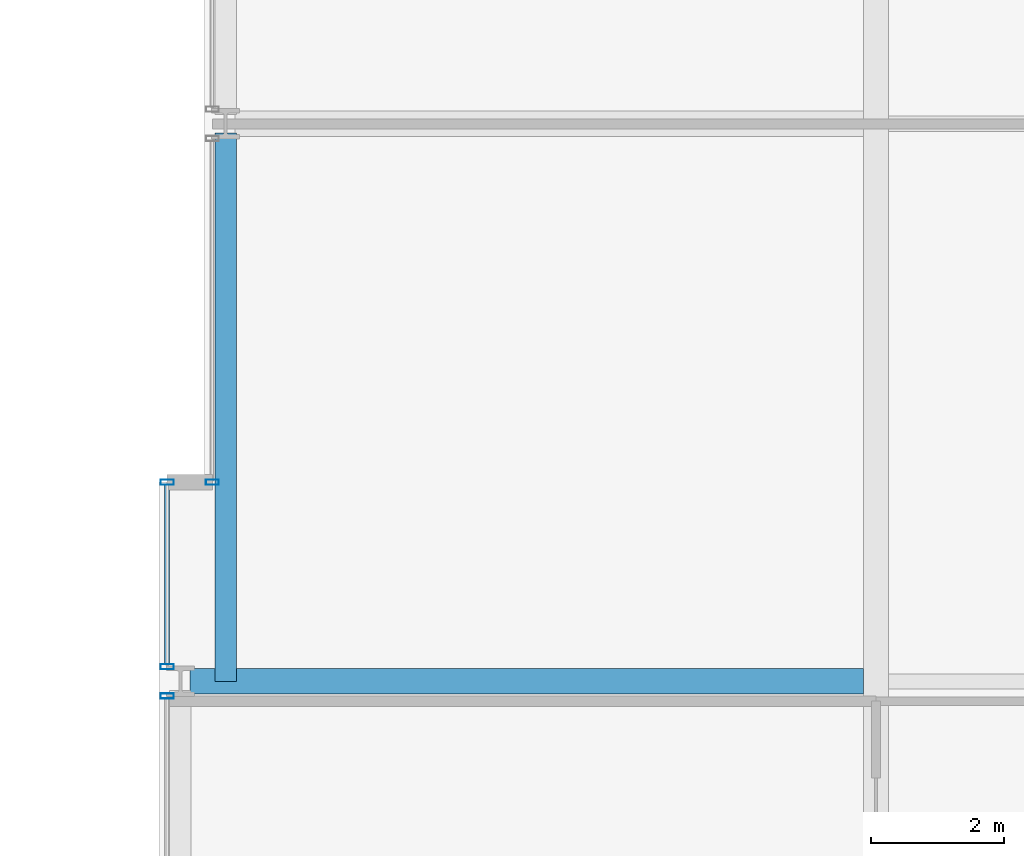
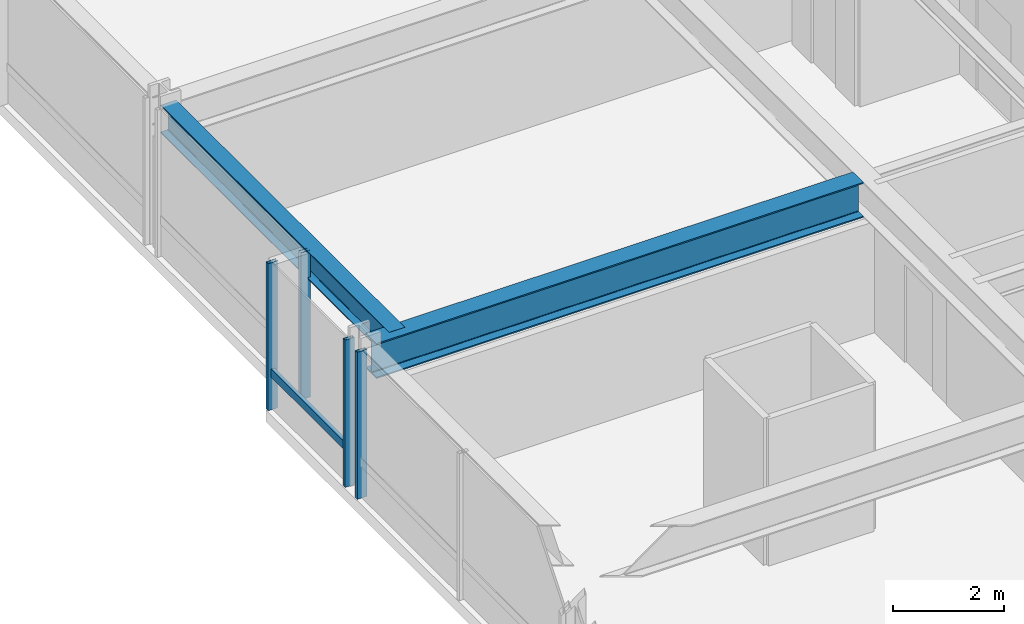
# One storey, part 7 of 33: 5 members, 2 beams, 3 elements without a shape of their own.
"""IFC4 building model written with IfcOpenShell, lengths in metres."""

from ifc_helpers import new_model, si_unit, direction, frame, origin, origin_2d, place, context, subcontext, project, spatial, hollow_rectangle, i_section, extrude, material, layer, layer_set, material_profile, profile_set, type_object, element, aggregate, save


model = new_model("IFC4")

# Units and contexts
model_context = context("Model", 3, precision=1e-05, world=origin(), true_north=direction((0.0, 1.0)))
body_context = subcontext(model_context, "Body", "Model", "MODEL_VIEW")
ifc_project = project(units=[si_unit("LENGTHUNIT", "METRE"), si_unit("AREAUNIT", "SQUARE_METRE"), si_unit("VOLUMEUNIT", "CUBIC_METRE"), si_unit("PLANEANGLEUNIT", "RADIAN"), si_unit("MASSUNIT", "GRAM", prefix="KILO")], contexts=[model_context])

# Site, building, storey
site_placement = place(None, origin())
site = spatial("IfcSite", under=ifc_project, at=site_placement, CompositionType="ELEMENT")
building_placement = place(site_placement, origin())
building = spatial("IfcBuilding", under=site, at=building_placement, Name="Drelvath Grand Hotel", CompositionType="ELEMENT")
storey_placement = place(building_placement, frame((0.0, 0.0, 105.800048828125)))
storey = spatial("IfcBuildingStorey", under=building, at=storey_placement, Name="L26", CompositionType="ELEMENT", Elevation=105.800048828125)

# Curtain wall, member
ifc_material_1 = material(Name="Champagne Bronze Anodised Aluminium Frame", Category="aluminium")
ifc_layer = layer(ifc_material_1, 0.199951171875)
ifc_layer_set = layer_set([ifc_layer], Name="Champagne Bronze Anodised Aluminium Frame")
curtain_wall_type = type_object("IfcCurtainWallType", Name="Stick Curtain Wall CW-03 Champagne Bronze Mid-Rise", PredefinedType="NOTDEFINED", material=ifc_layer_set)
curtain_wall_1_placement = place(storey_placement, origin())
curtain_wall_1 = element("IfcCurtainWall", 1, at=curtain_wall_1_placement, inside=storey, type_object=curtain_wall_type, Name="L26 CW-03 Curtain Wall CW03-L26-WS3", PredefinedType="NOTDEFINED")
ifc_material_profile_1 = material_profile(ifc_material_1, hollow_rectangle(XDim=0.074951171875, YDim=0.179931640625, WallThickness=0.0048828125, at=origin_2d()), Name="HSS180X75X5")
ifc_profile_set_1 = profile_set([ifc_material_profile_1], Name="Champagne Bronze Anodised Aluminium Frame")
member_type_1 = type_object("IfcMemberType", Name="Curtain Wall Horizontal Transom CW-03 HSS180X75X5", PredefinedType="USERDEFINED", material=ifc_profile_set_1)
member_1_placement = place(storey_placement, frame((-26.8798828125, 18.859619140625, 0.81005859375), z_axis=(0.0, 1.0, 0.0), x_axis=(-1.0, 0.0, 0.0)))
member_1 = element("IfcMember", 2, at=member_1_placement, type_object=member_type_1, Name="CW03-L26-WS3 Sill Transom", ObjectType="TRANSOM", PredefinedType="USERDEFINED", context=body_context, shape_type="SweptSolid", body=[
    extrude(hollow_rectangle(XDim=0.074951171875, YDim=0.179931640625, WallThickness=0.0048828125, at=origin_2d()), origin(), (0.0, 0.0, 1.0), 2.700439453125),
])

curtain_wall_2_placement = place(storey_placement, origin())
curtain_wall_2 = element("IfcCurtainWall", 3, at=curtain_wall_2_placement, inside=storey, type_object=curtain_wall_type, Name="L26 CW-03 Curtain Wall CW03-L26-WS2", PredefinedType="NOTDEFINED")
ifc_material_profile_2 = material_profile(ifc_material_1, hollow_rectangle(XDim=0.080078125, YDim=0.199951171875, WallThickness=0.0048828125, at=origin_2d()), Name="HSS200X80X5")
ifc_profile_set_2 = profile_set([ifc_material_profile_2], Name="Champagne Bronze Anodised Aluminium Frame")
member_type_2 = type_object("IfcMemberType", Name="Curtain Wall Vertical Mullion CW-03 HSS200X80X5", PredefinedType="MULLION", material=ifc_profile_set_2)
member_2_placement = place(storey_placement, frame((-26.8798828125, 18.38037109375, 0.0), z_axis=(0.0, 0.0, 1.0), x_axis=(0.0, 1.0, 0.0)))
member_2 = element("IfcMember", 4, at=member_2_placement, type_object=member_type_2, Name="CW03-L26-WS2 Mullion 3", PredefinedType="MULLION", context=body_context, shape_type="SweptSolid", body=[
    extrude(hollow_rectangle(XDim=0.080078125, YDim=0.199951171875, WallThickness=0.0048828125, at=origin_2d()), origin(), (0.0, 0.0, 1.0), 3.239990234375),
])
aggregate(curtain_wall_2, [member_2])

# Member
member_3_placement = place(storey_placement, frame((-26.8798828125, 18.819580078125, 0.0), z_axis=(0.0, 0.0, 1.0), x_axis=(0.0, 1.0, 0.0)))
member_3 = element("IfcMember", 5, at=member_3_placement, type_object=member_type_2, Name="CW03-L26-WS3 Mullion 1", PredefinedType="MULLION", context=body_context, shape_type="SweptSolid", body=[
    extrude(hollow_rectangle(XDim=0.080078125, YDim=0.199951171875, WallThickness=0.0048828125, at=origin_2d()), origin(), (0.0, 0.0, 1.0), 3.239990234375),
])

member_4_placement = place(storey_placement, frame((-26.8798828125, 21.60009765625, 0.0), z_axis=(0.0, 0.0, 1.0), x_axis=(0.0, 1.0, 0.0)))
member_4 = element("IfcMember", 6, at=member_4_placement, type_object=member_type_2, Name="CW03-L26-WS3 Mullion 2", PredefinedType="MULLION", context=body_context, shape_type="SweptSolid", body=[
    extrude(hollow_rectangle(XDim=0.080078125, YDim=0.199951171875, WallThickness=0.0048828125, at=origin_2d()), origin(), (0.0, 0.0, 1.0), 3.239990234375),
])

aggregate(curtain_wall_1, [member_3, member_4, member_1])

# Curtain wall, member
curtain_wall_3_placement = place(storey_placement, origin())
curtain_wall_3 = element("IfcCurtainWall", 7, at=curtain_wall_3_placement, inside=storey, type_object=curtain_wall_type, Name="L26 CW-03 Curtain Wall CW03-L26-WM1", PredefinedType="NOTDEFINED")
member_5_placement = place(storey_placement, frame((-26.199951171875, 21.60009765625, 0.0), z_axis=(0.0, 0.0, 1.0), x_axis=(0.0, 1.0, 0.0)))
member_5 = element("IfcMember", 8, at=member_5_placement, type_object=member_type_2, Name="CW03-L26-WM1 Mullion 1", PredefinedType="MULLION", context=body_context, shape_type="SweptSolid", body=[
    extrude(hollow_rectangle(XDim=0.080078125, YDim=0.199951171875, WallThickness=0.0048828125, at=origin_2d()), origin(), (0.0, 0.0, 1.0), 3.239990234375),
])
aggregate(curtain_wall_3, [member_5])

# Beams
ifc_material_2 = material(Name="Steel ASTM A992 Gr 50", Category="steel")
ifc_material_profile_3 = material_profile(ifc_material_2, i_section(OverallWidth=0.323974609375, OverallDepth=0.611083984375, WebThickness=0.0126953125, FlangeThickness=0.01904296875, FilletRadius=0.02197265625, at=origin_2d()), Name="W24X104")
ifc_profile_set_3 = profile_set([ifc_material_profile_3], Name="Steel ASTM A992 Gr 50")
beam_type_1 = type_object("IfcBeamType", Name="Perimeter Spandrel Beam W24X104", PredefinedType="SPANDREL", material=ifc_profile_set_3)
beam_1_placement = place(storey_placement, frame((-26.0, 18.60009765625, 2.9345703125), z_axis=(0.0, 1.0, 0.0), x_axis=(-1.0, 0.0, 0.0)))
element("IfcBeam", 9, at=beam_1_placement, inside=storey, type_object=beam_type_1, Name="L26 Spandrel West Mid S", PredefinedType="SPANDREL", context=body_context, shape_type="SweptSolid", body=[
    extrude(i_section(OverallWidth=0.323974609375, OverallDepth=0.611083984375, WebThickness=0.0126953125, FlangeThickness=0.01904296875, FilletRadius=0.02197265625, at=origin_2d()), origin(), (0.0, 0.0, 1.0), 8.260009765625),
])
ifc_material_profile_4 = material_profile(ifc_material_2, i_section(OverallWidth=0.380615234375, OverallDepth=0.773193359375, WebThickness=0.0166015625, FlangeThickness=0.027099609375, FilletRadius=0.02490234375, at=origin_2d()), Name="W30X173")
ifc_profile_set_4 = profile_set([ifc_material_profile_4], Name="Steel ASTM A992 Gr 50")
beam_type_2 = type_object("IfcBeamType", Name="Primary Floor Girder W30X173", PredefinedType="BEAM", material=ifc_profile_set_4)
beam_2_placement = place(storey_placement, frame((-26.5400390625, 18.60009765625, 2.853271484375), z_axis=(1.0, 0.0, 0.0), x_axis=(0.0, 1.0, 0.0)))
element("IfcBeam", 10, at=beam_2_placement, inside=storey, type_object=beam_type_2, Name="L26 West Wing Girder D", PredefinedType="BEAM", context=body_context, shape_type="SweptSolid", body=[
    extrude(i_section(OverallWidth=0.380615234375, OverallDepth=0.773193359375, WebThickness=0.0166015625, FlangeThickness=0.027099609375, FilletRadius=0.02490234375, at=origin_2d()), origin(), (0.0, 0.0, 1.0), 10.149658203125),
])

save(model, "model.ifc")
